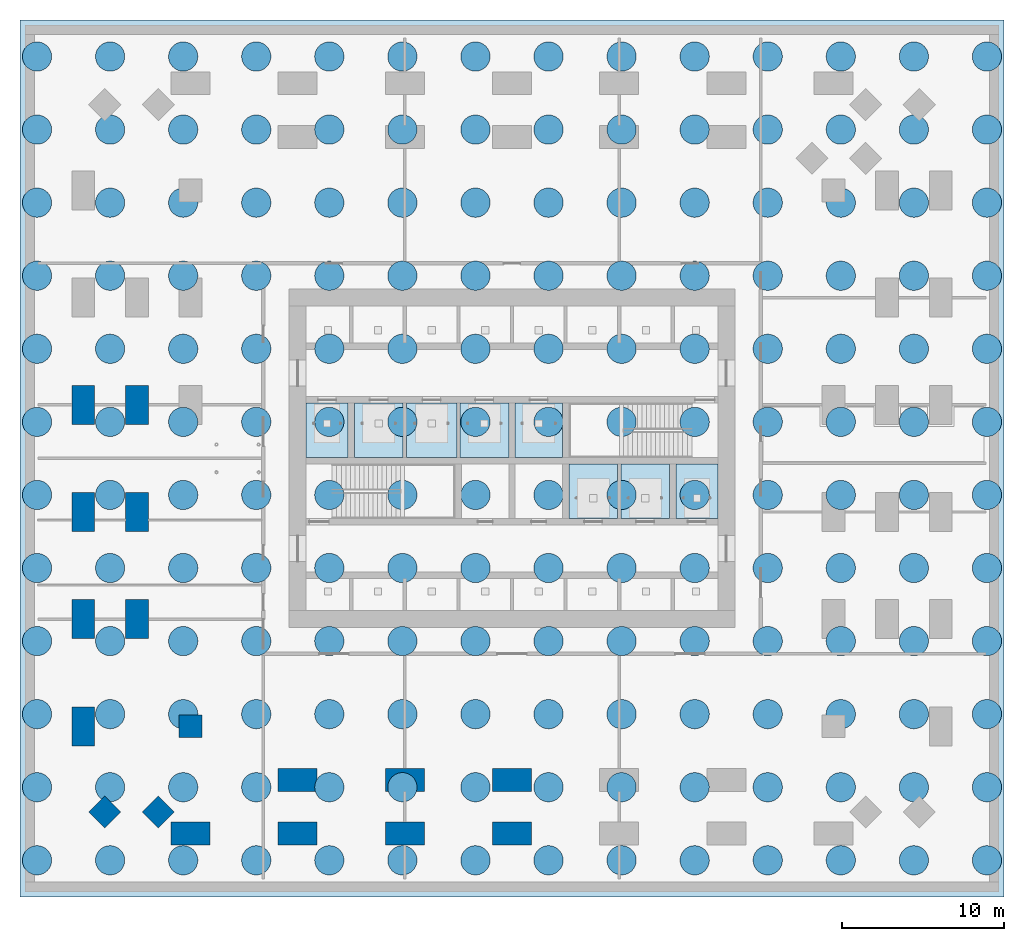
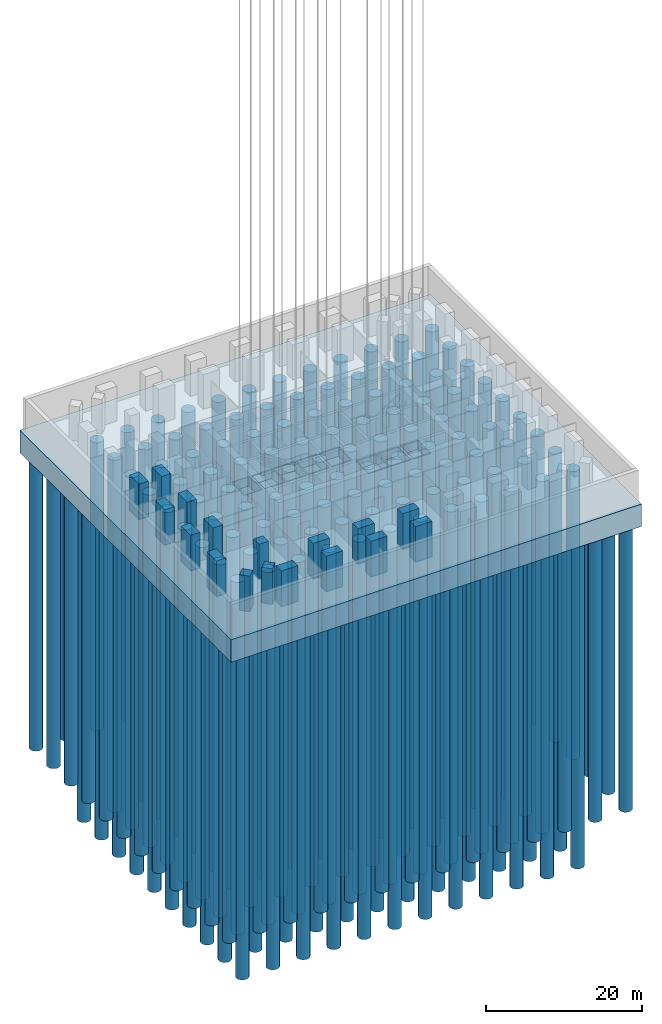
# One storey, part 1 of 17: 168 piles, 17 columns, 1 footing, 8 openings.
"""IFC4 building model written with IfcOpenShell, lengths in metres."""

from ifc_helpers import new_model, si_unit, direction, frame, origin, origin_2d, place, context, subcontext, project, spatial, polyline, rectangle, circle, outline, extrude, material, layer, layer_set, material_profile, profile_set, type_object, element, save


model = new_model("IFC4")

# Units and contexts
model_context = context("Model", 3, precision=1e-05, world=origin(), true_north=direction((0.0, 1.0)))
body_context = subcontext(model_context, "Body", "Model", "MODEL_VIEW")
ifc_project = project(units=[si_unit("LENGTHUNIT", "METRE"), si_unit("AREAUNIT", "SQUARE_METRE"), si_unit("VOLUMEUNIT", "CUBIC_METRE"), si_unit("PLANEANGLEUNIT", "RADIAN"), si_unit("MASSUNIT", "GRAM", prefix="KILO")], contexts=[model_context])

# Site, building, storey
site_placement = place(None, origin())
site = spatial("IfcSite", under=ifc_project, at=site_placement, CompositionType="ELEMENT")
building_placement = place(site_placement, origin())
building = spatial("IfcBuilding", under=site, at=building_placement, Name="Cobogo Forest Laboratory Tower", CompositionType="ELEMENT")
storey_placement = place(building_placement, frame((0.0, 0.0, -5.39990234375)))
storey = spatial("IfcBuildingStorey", under=building, at=storey_placement, Name="L-01", CompositionType="ELEMENT", Elevation=-5.39990234375)

# Piles
ifc_material_1 = material(Name="Concrete HA-40 (C40/50)", Category="concrete")
ifc_material_profile_1 = material_profile(ifc_material_1, circle(Radius=0.89990234375, at=origin_2d()), Name="PILE D1800")
ifc_profile_set_1 = profile_set([ifc_material_profile_1], Name="Concrete HA-40 (C40/50)")
pile_type_1 = type_object("IfcPileType", Name="Bored pile D1800 x 45 m", PredefinedType="BORED", material=ifc_profile_set_1)
for number, where, z_axis, x_axis, name in (
    (1, (-2.85009765625, -1.64990234375, -3.650146484375), (0.0, 0.0, -1.0), (1.0, 0.0, 0.0), "Pile P001"),
    (2, (1.64990234375, -1.64990234375, -3.650146484375), (0.0, 0.0, -1.0), (1.0, 0.0, 0.0), "Pile P002"),
    (3, (6.14990234375, -1.64990234375, -3.650146484375), (0.0, 0.0, -1.0), (1.0, 0.0, 0.0), "Pile P003"),
    (4, (10.64990234375, -1.64990234375, -3.650146484375), (0.0, 0.0, -1.0), (1.0, 0.0, 0.0), "Pile P004"),
    (5, (15.14990234375, -1.64990234375, -3.650146484375), (0.0, 0.0, -1.0), (1.0, 0.0, 0.0), "Pile P005"),
    (6, (19.64990234375, -1.64990234375, -3.650146484375), (0.0, 0.0, -1.0), (1.0, 0.0, 0.0), "Pile P006"),
    (7, (24.14990234375, -1.64990234375, -3.650146484375), (0.0, 0.0, -1.0), (1.0, 0.0, 0.0), "Pile P007"),
    (8, (28.64990234375, -1.64990234375, -3.650146484375), (0.0, 0.0, -1.0), (1.0, 0.0, 0.0), "Pile P008"),
    (9, (33.14990234375, -1.64990234375, -3.650146484375), (0.0, 0.0, -1.0), (1.0, 0.0, 0.0), "Pile P009"),
    (10, (37.64990234375, -1.64990234375, -3.650146484375), (0.0, 0.0, -1.0), (1.0, 0.0, 0.0), "Pile P010"),
    (11, (42.14990234375, -1.64990234375, -3.650146484375), (0.0, 0.0, -1.0), (1.0, 0.0, 0.0), "Pile P011"),
    (12, (46.64990234375, -1.64990234375, -3.650146484375), (0.0, 0.0, -1.0), (1.0, 0.0, 0.0), "Pile P012"),
    (13, (51.14990234375, -1.64990234375, -3.650146484375), (0.0, 0.0, -1.0), (1.0, 0.0, 0.0), "Pile P013"),
    (14, (55.64990234375, -1.64990234375, -3.650146484375), (0.0, 0.0, -1.0), (1.0, 0.0, 0.0), "Pile P014"),
    (15, (-2.85009765625, 2.85009765625, -3.650146484375), (0.0, 0.0, -1.0), (1.0, 0.0, 0.0), "Pile P015"),
    (16, (55.64990234375, 2.85009765625, -3.650146484375), (0.0, 0.0, -1.0), (1.0, 0.0, 0.0), "Pile P028"),
    (17, (-2.85009765625, 7.35009765625, -3.650146484375), (0.0, 0.0, -1.0), (1.0, 0.0, 0.0), "Pile P029"),
    (18, (55.64990234375, 7.35009765625, -3.650146484375), (0.0, 0.0, -1.0), (1.0, 0.0, 0.0), "Pile P042"),
    (19, (-2.85009765625, 11.85009765625, -3.650146484375), (0.0, 0.0, -1.0), (1.0, 0.0, 0.0), "Pile P043"),
    (20, (55.64990234375, 11.85009765625, -3.650146484375), (0.0, 0.0, -1.0), (1.0, 0.0, 0.0), "Pile P056"),
    (21, (-2.85009765625, 16.35009765625, -3.650146484375), (0.0, 0.0, -1.0), (1.0, 0.0, 0.0), "Pile P057"),
    (22, (55.64990234375, 16.35009765625, -3.650146484375), (0.0, 0.0, -1.0), (1.0, 0.0, 0.0), "Pile P070"),
    (23, (-2.85009765625, 20.85009765625, -3.650146484375), (0.0, 0.0, -1.0), (1.0, 0.0, 0.0), "Pile P071"),
    (24, (55.64990234375, 20.85009765625, -3.650146484375), (0.0, 0.0, -1.0), (1.0, 0.0, 0.0), "Pile P084"),
    (25, (-2.85009765625, 25.35009765625, -3.650146484375), (0.0, 0.0, -1.0), (1.0, 0.0, 0.0), "Pile P085"),
    (26, (55.64990234375, 25.35009765625, -3.650146484375), (0.0, 0.0, -1.0), (1.0, 0.0, 0.0), "Pile P098"),
    (27, (-2.85009765625, 29.85009765625, -3.650146484375), (0.0, 0.0, -1.0), (1.0, 0.0, 0.0), "Pile P099"),
    (28, (55.64990234375, 29.85009765625, -3.650146484375), (0.0, 0.0, -1.0), (1.0, 0.0, 0.0), "Pile P112"),
    (29, (-2.85009765625, 34.35009765625, -3.650146484375), (0.0, 0.0, -1.0), (1.0, 0.0, 0.0), "Pile P113"),
    (30, (55.64990234375, 34.35009765625, -3.650146484375), (0.0, 0.0, -1.0), (1.0, 0.0, 0.0), "Pile P126"),
    (31, (-2.85009765625, 38.85009765625, -3.650146484375), (0.0, 0.0, -1.0), (1.0, 0.0, 0.0), "Pile P127"),
    (32, (55.64990234375, 38.85009765625, -3.650146484375), (0.0, 0.0, -1.0), (1.0, 0.0, 0.0), "Pile P140"),
    (33, (-2.85009765625, 43.35009765625, -3.650146484375), (0.0, 0.0, -1.0), (1.0, 0.0, 0.0), "Pile P141"),
    (34, (55.64990234375, 43.35009765625, -3.650146484375), (0.0, 0.0, -1.0), (1.0, 0.0, 0.0), "Pile P154"),
    (35, (-2.85009765625, 47.85009765625, -3.650146484375), (0.0, 0.0, -1.0), (1.0, 0.0, 0.0), "Pile P155"),
    (36, (1.64990234375, 47.85009765625, -3.650146484375), (0.0, 0.0, -1.0), (1.0, 0.0, 0.0), "Pile P156"),
    (37, (6.14990234375, 47.85009765625, -3.650146484375), (0.0, 0.0, -1.0), (1.0, 0.0, 0.0), "Pile P157"),
    (38, (10.64990234375, 47.85009765625, -3.650146484375), (0.0, 0.0, -1.0), (1.0, 0.0, 0.0), "Pile P158"),
    (39, (15.14990234375, 47.85009765625, -3.650146484375), (0.0, 0.0, -1.0), (1.0, 0.0, 0.0), "Pile P159"),
    (40, (19.64990234375, 47.85009765625, -3.650146484375), (0.0, 0.0, -1.0), (1.0, 0.0, 0.0), "Pile P160"),
    (41, (24.14990234375, 47.85009765625, -3.650146484375), (0.0, 0.0, -1.0), (1.0, 0.0, 0.0), "Pile P161"),
    (42, (28.64990234375, 47.85009765625, -3.650146484375), (0.0, 0.0, -1.0), (1.0, 0.0, 0.0), "Pile P162"),
    (43, (33.14990234375, 47.85009765625, -3.650146484375), (0.0, 0.0, -1.0), (1.0, 0.0, 0.0), "Pile P163"),
    (44, (37.64990234375, 47.85009765625, -3.650146484375), (0.0, 0.0, -1.0), (1.0, 0.0, 0.0), "Pile P164"),
    (45, (42.14990234375, 47.85009765625, -3.650146484375), (0.0, 0.0, -1.0), (1.0, 0.0, 0.0), "Pile P165"),
    (46, (46.64990234375, 47.85009765625, -3.650146484375), (0.0, 0.0, -1.0), (1.0, 0.0, 0.0), "Pile P166"),
    (47, (51.14990234375, 47.85009765625, -3.650146484375), (0.0, 0.0, -1.0), (1.0, 0.0, 0.0), "Pile P167"),
    (48, (55.64990234375, 47.85009765625, -3.650146484375), (0.0, 0.0, -1.0), (1.0, 0.0, 0.0), "Pile P168"),
):
    element("IfcPile", number, at=place(storey_placement, frame(where, z_axis=z_axis, x_axis=x_axis)), inside=storey, type_object=pile_type_1, Name=name, PredefinedType="BORED", context=body_context, shape_type="SweptSolid", body=[
        extrude(circle(Radius=0.89990234375, at=origin_2d()), origin(), (0.0, 0.0, 1.0), 45.0),
    ])
ifc_material_profile_2 = material_profile(ifc_material_1, circle(Radius=0.89990234375, at=origin_2d()), Name="PILE D1800")
ifc_profile_set_2 = profile_set([ifc_material_profile_2], Name="Concrete HA-40 (C40/50)")
pile_type_2 = type_object("IfcPileType", Name="Bored pile D1800 x 55 m", PredefinedType="BORED", material=ifc_profile_set_2)
for number, where, z_axis, x_axis, name in (
    (49, (1.64990234375, 2.85009765625, -3.650146484375), (0.0, 0.0, -1.0), (1.0, 0.0, 0.0), "Pile P016"),
    (50, (6.14990234375, 2.85009765625, -3.650146484375), (0.0, 0.0, -1.0), (1.0, 0.0, 0.0), "Pile P017"),
    (51, (10.64990234375, 2.85009765625, -3.650146484375), (0.0, 0.0, -1.0), (1.0, 0.0, 0.0), "Pile P018"),
    (52, (15.14990234375, 2.85009765625, -3.650146484375), (0.0, 0.0, -1.0), (1.0, 0.0, 0.0), "Pile P019"),
    (53, (19.64990234375, 2.85009765625, -3.650146484375), (0.0, 0.0, -1.0), (1.0, 0.0, 0.0), "Pile P020"),
    (54, (24.14990234375, 2.85009765625, -3.650146484375), (0.0, 0.0, -1.0), (1.0, 0.0, 0.0), "Pile P021"),
    (55, (28.64990234375, 2.85009765625, -3.650146484375), (0.0, 0.0, -1.0), (1.0, 0.0, 0.0), "Pile P022"),
    (56, (33.14990234375, 2.85009765625, -3.650146484375), (0.0, 0.0, -1.0), (1.0, 0.0, 0.0), "Pile P023"),
    (57, (37.64990234375, 2.85009765625, -3.650146484375), (0.0, 0.0, -1.0), (1.0, 0.0, 0.0), "Pile P024"),
    (58, (42.14990234375, 2.85009765625, -3.650146484375), (0.0, 0.0, -1.0), (1.0, 0.0, 0.0), "Pile P025"),
    (59, (46.64990234375, 2.85009765625, -3.650146484375), (0.0, 0.0, -1.0), (1.0, 0.0, 0.0), "Pile P026"),
    (60, (51.14990234375, 2.85009765625, -3.650146484375), (0.0, 0.0, -1.0), (1.0, 0.0, 0.0), "Pile P027"),
    (61, (1.64990234375, 7.35009765625, -3.650146484375), (0.0, 0.0, -1.0), (1.0, 0.0, 0.0), "Pile P030"),
    (62, (6.14990234375, 7.35009765625, -3.650146484375), (0.0, 0.0, -1.0), (1.0, 0.0, 0.0), "Pile P031"),
    (63, (10.64990234375, 7.35009765625, -3.650146484375), (0.0, 0.0, -1.0), (1.0, 0.0, 0.0), "Pile P032"),
    (64, (15.14990234375, 7.35009765625, -3.650146484375), (0.0, 0.0, -1.0), (1.0, 0.0, 0.0), "Pile P033"),
    (65, (19.64990234375, 7.35009765625, -3.650146484375), (0.0, 0.0, -1.0), (1.0, 0.0, 0.0), "Pile P034"),
    (66, (24.14990234375, 7.35009765625, -3.650146484375), (0.0, 0.0, -1.0), (1.0, 0.0, 0.0), "Pile P035"),
    (67, (28.64990234375, 7.35009765625, -3.650146484375), (0.0, 0.0, -1.0), (1.0, 0.0, 0.0), "Pile P036"),
    (68, (33.14990234375, 7.35009765625, -3.650146484375), (0.0, 0.0, -1.0), (1.0, 0.0, 0.0), "Pile P037"),
    (69, (37.64990234375, 7.35009765625, -3.650146484375), (0.0, 0.0, -1.0), (1.0, 0.0, 0.0), "Pile P038"),
    (70, (42.14990234375, 7.35009765625, -3.650146484375), (0.0, 0.0, -1.0), (1.0, 0.0, 0.0), "Pile P039"),
    (71, (46.64990234375, 7.35009765625, -3.650146484375), (0.0, 0.0, -1.0), (1.0, 0.0, 0.0), "Pile P040"),
    (72, (51.14990234375, 7.35009765625, -3.650146484375), (0.0, 0.0, -1.0), (1.0, 0.0, 0.0), "Pile P041"),
    (73, (1.64990234375, 11.85009765625, -3.650146484375), (0.0, 0.0, -1.0), (1.0, 0.0, 0.0), "Pile P044"),
    (74, (6.14990234375, 11.85009765625, -3.650146484375), (0.0, 0.0, -1.0), (1.0, 0.0, 0.0), "Pile P045"),
    (75, (10.64990234375, 11.85009765625, -3.650146484375), (0.0, 0.0, -1.0), (1.0, 0.0, 0.0), "Pile P046"),
    (76, (15.14990234375, 11.85009765625, -3.650146484375), (0.0, 0.0, -1.0), (1.0, 0.0, 0.0), "Pile P047"),
    (77, (19.64990234375, 11.85009765625, -3.650146484375), (0.0, 0.0, -1.0), (1.0, 0.0, 0.0), "Pile P048"),
    (78, (24.14990234375, 11.85009765625, -3.650146484375), (0.0, 0.0, -1.0), (1.0, 0.0, 0.0), "Pile P049"),
    (79, (28.64990234375, 11.85009765625, -3.650146484375), (0.0, 0.0, -1.0), (1.0, 0.0, 0.0), "Pile P050"),
    (80, (33.14990234375, 11.85009765625, -3.650146484375), (0.0, 0.0, -1.0), (1.0, 0.0, 0.0), "Pile P051"),
    (81, (37.64990234375, 11.85009765625, -3.650146484375), (0.0, 0.0, -1.0), (1.0, 0.0, 0.0), "Pile P052"),
    (82, (42.14990234375, 11.85009765625, -3.650146484375), (0.0, 0.0, -1.0), (1.0, 0.0, 0.0), "Pile P053"),
    (83, (46.64990234375, 11.85009765625, -3.650146484375), (0.0, 0.0, -1.0), (1.0, 0.0, 0.0), "Pile P054"),
    (84, (51.14990234375, 11.85009765625, -3.650146484375), (0.0, 0.0, -1.0), (1.0, 0.0, 0.0), "Pile P055"),
    (85, (1.64990234375, 16.35009765625, -3.650146484375), (0.0, 0.0, -1.0), (1.0, 0.0, 0.0), "Pile P058"),
    (86, (6.14990234375, 16.35009765625, -3.650146484375), (0.0, 0.0, -1.0), (1.0, 0.0, 0.0), "Pile P059"),
    (87, (10.64990234375, 16.35009765625, -3.650146484375), (0.0, 0.0, -1.0), (1.0, 0.0, 0.0), "Pile P060"),
    (88, (15.14990234375, 16.35009765625, -3.650146484375), (0.0, 0.0, -1.0), (1.0, 0.0, 0.0), "Pile P061"),
    (89, (19.64990234375, 16.35009765625, -3.650146484375), (0.0, 0.0, -1.0), (1.0, 0.0, 0.0), "Pile P062"),
    (90, (24.14990234375, 16.35009765625, -3.650146484375), (0.0, 0.0, -1.0), (1.0, 0.0, 0.0), "Pile P063"),
    (91, (28.64990234375, 16.35009765625, -3.650146484375), (0.0, 0.0, -1.0), (1.0, 0.0, 0.0), "Pile P064"),
    (92, (33.14990234375, 16.35009765625, -3.650146484375), (0.0, 0.0, -1.0), (1.0, 0.0, 0.0), "Pile P065"),
    (93, (37.64990234375, 16.35009765625, -3.650146484375), (0.0, 0.0, -1.0), (1.0, 0.0, 0.0), "Pile P066"),
    (94, (42.14990234375, 16.35009765625, -3.650146484375), (0.0, 0.0, -1.0), (1.0, 0.0, 0.0), "Pile P067"),
    (95, (46.64990234375, 16.35009765625, -3.650146484375), (0.0, 0.0, -1.0), (1.0, 0.0, 0.0), "Pile P068"),
    (96, (51.14990234375, 16.35009765625, -3.650146484375), (0.0, 0.0, -1.0), (1.0, 0.0, 0.0), "Pile P069"),
    (97, (1.64990234375, 20.85009765625, -3.650146484375), (0.0, 0.0, -1.0), (1.0, 0.0, 0.0), "Pile P072"),
    (98, (6.14990234375, 20.85009765625, -3.650146484375), (0.0, 0.0, -1.0), (1.0, 0.0, 0.0), "Pile P073"),
    (99, (10.64990234375, 20.85009765625, -3.650146484375), (0.0, 0.0, -1.0), (1.0, 0.0, 0.0), "Pile P074"),
    (100, (15.14990234375, 20.85009765625, -3.650146484375), (0.0, 0.0, -1.0), (1.0, 0.0, 0.0), "Pile P075"),
    (101, (19.64990234375, 20.85009765625, -3.650146484375), (0.0, 0.0, -1.0), (1.0, 0.0, 0.0), "Pile P076"),
    (102, (24.14990234375, 20.85009765625, -3.650146484375), (0.0, 0.0, -1.0), (1.0, 0.0, 0.0), "Pile P077"),
    (103, (28.64990234375, 20.85009765625, -3.650146484375), (0.0, 0.0, -1.0), (1.0, 0.0, 0.0), "Pile P078"),
    (104, (33.14990234375, 20.85009765625, -3.650146484375), (0.0, 0.0, -1.0), (1.0, 0.0, 0.0), "Pile P079"),
    (105, (37.64990234375, 20.85009765625, -3.650146484375), (0.0, 0.0, -1.0), (1.0, 0.0, 0.0), "Pile P080"),
    (106, (42.14990234375, 20.85009765625, -3.650146484375), (0.0, 0.0, -1.0), (1.0, 0.0, 0.0), "Pile P081"),
    (107, (46.64990234375, 20.85009765625, -3.650146484375), (0.0, 0.0, -1.0), (1.0, 0.0, 0.0), "Pile P082"),
    (108, (51.14990234375, 20.85009765625, -3.650146484375), (0.0, 0.0, -1.0), (1.0, 0.0, 0.0), "Pile P083"),
    (109, (1.64990234375, 25.35009765625, -3.650146484375), (0.0, 0.0, -1.0), (1.0, 0.0, 0.0), "Pile P086"),
    (110, (6.14990234375, 25.35009765625, -3.650146484375), (0.0, 0.0, -1.0), (1.0, 0.0, 0.0), "Pile P087"),
    (111, (10.64990234375, 25.35009765625, -3.650146484375), (0.0, 0.0, -1.0), (1.0, 0.0, 0.0), "Pile P088"),
    (112, (15.14990234375, 25.35009765625, -3.650146484375), (0.0, 0.0, -1.0), (1.0, 0.0, 0.0), "Pile P089"),
    (113, (19.64990234375, 25.35009765625, -3.650146484375), (0.0, 0.0, -1.0), (1.0, 0.0, 0.0), "Pile P090"),
    (114, (24.14990234375, 25.35009765625, -3.650146484375), (0.0, 0.0, -1.0), (1.0, 0.0, 0.0), "Pile P091"),
    (115, (28.64990234375, 25.35009765625, -3.650146484375), (0.0, 0.0, -1.0), (1.0, 0.0, 0.0), "Pile P092"),
    (116, (33.14990234375, 25.35009765625, -3.650146484375), (0.0, 0.0, -1.0), (1.0, 0.0, 0.0), "Pile P093"),
    (117, (37.64990234375, 25.35009765625, -3.650146484375), (0.0, 0.0, -1.0), (1.0, 0.0, 0.0), "Pile P094"),
    (118, (42.14990234375, 25.35009765625, -3.650146484375), (0.0, 0.0, -1.0), (1.0, 0.0, 0.0), "Pile P095"),
    (119, (46.64990234375, 25.35009765625, -3.650146484375), (0.0, 0.0, -1.0), (1.0, 0.0, 0.0), "Pile P096"),
    (120, (51.14990234375, 25.35009765625, -3.650146484375), (0.0, 0.0, -1.0), (1.0, 0.0, 0.0), "Pile P097"),
    (121, (1.64990234375, 29.85009765625, -3.650146484375), (0.0, 0.0, -1.0), (1.0, 0.0, 0.0), "Pile P100"),
    (122, (6.14990234375, 29.85009765625, -3.650146484375), (0.0, 0.0, -1.0), (1.0, 0.0, 0.0), "Pile P101"),
    (123, (10.64990234375, 29.85009765625, -3.650146484375), (0.0, 0.0, -1.0), (1.0, 0.0, 0.0), "Pile P102"),
    (124, (15.14990234375, 29.85009765625, -3.650146484375), (0.0, 0.0, -1.0), (1.0, 0.0, 0.0), "Pile P103"),
    (125, (19.64990234375, 29.85009765625, -3.650146484375), (0.0, 0.0, -1.0), (1.0, 0.0, 0.0), "Pile P104"),
    (126, (24.14990234375, 29.85009765625, -3.650146484375), (0.0, 0.0, -1.0), (1.0, 0.0, 0.0), "Pile P105"),
    (127, (28.64990234375, 29.85009765625, -3.650146484375), (0.0, 0.0, -1.0), (1.0, 0.0, 0.0), "Pile P106"),
    (128, (33.14990234375, 29.85009765625, -3.650146484375), (0.0, 0.0, -1.0), (1.0, 0.0, 0.0), "Pile P107"),
    (129, (37.64990234375, 29.85009765625, -3.650146484375), (0.0, 0.0, -1.0), (1.0, 0.0, 0.0), "Pile P108"),
    (130, (42.14990234375, 29.85009765625, -3.650146484375), (0.0, 0.0, -1.0), (1.0, 0.0, 0.0), "Pile P109"),
    (131, (46.64990234375, 29.85009765625, -3.650146484375), (0.0, 0.0, -1.0), (1.0, 0.0, 0.0), "Pile P110"),
    (132, (51.14990234375, 29.85009765625, -3.650146484375), (0.0, 0.0, -1.0), (1.0, 0.0, 0.0), "Pile P111"),
    (133, (1.64990234375, 34.35009765625, -3.650146484375), (0.0, 0.0, -1.0), (1.0, 0.0, 0.0), "Pile P114"),
    (134, (6.14990234375, 34.35009765625, -3.650146484375), (0.0, 0.0, -1.0), (1.0, 0.0, 0.0), "Pile P115"),
    (135, (10.64990234375, 34.35009765625, -3.650146484375), (0.0, 0.0, -1.0), (1.0, 0.0, 0.0), "Pile P116"),
    (136, (15.14990234375, 34.35009765625, -3.650146484375), (0.0, 0.0, -1.0), (1.0, 0.0, 0.0), "Pile P117"),
    (137, (19.64990234375, 34.35009765625, -3.650146484375), (0.0, 0.0, -1.0), (1.0, 0.0, 0.0), "Pile P118"),
    (138, (24.14990234375, 34.35009765625, -3.650146484375), (0.0, 0.0, -1.0), (1.0, 0.0, 0.0), "Pile P119"),
    (139, (28.64990234375, 34.35009765625, -3.650146484375), (0.0, 0.0, -1.0), (1.0, 0.0, 0.0), "Pile P120"),
    (140, (33.14990234375, 34.35009765625, -3.650146484375), (0.0, 0.0, -1.0), (1.0, 0.0, 0.0), "Pile P121"),
    (141, (37.64990234375, 34.35009765625, -3.650146484375), (0.0, 0.0, -1.0), (1.0, 0.0, 0.0), "Pile P122"),
    (142, (42.14990234375, 34.35009765625, -3.650146484375), (0.0, 0.0, -1.0), (1.0, 0.0, 0.0), "Pile P123"),
    (143, (46.64990234375, 34.35009765625, -3.650146484375), (0.0, 0.0, -1.0), (1.0, 0.0, 0.0), "Pile P124"),
    (144, (51.14990234375, 34.35009765625, -3.650146484375), (0.0, 0.0, -1.0), (1.0, 0.0, 0.0), "Pile P125"),
    (145, (1.64990234375, 38.85009765625, -3.650146484375), (0.0, 0.0, -1.0), (1.0, 0.0, 0.0), "Pile P128"),
    (146, (6.14990234375, 38.85009765625, -3.650146484375), (0.0, 0.0, -1.0), (1.0, 0.0, 0.0), "Pile P129"),
    (147, (10.64990234375, 38.85009765625, -3.650146484375), (0.0, 0.0, -1.0), (1.0, 0.0, 0.0), "Pile P130"),
    (148, (15.14990234375, 38.85009765625, -3.650146484375), (0.0, 0.0, -1.0), (1.0, 0.0, 0.0), "Pile P131"),
    (149, (19.64990234375, 38.85009765625, -3.650146484375), (0.0, 0.0, -1.0), (1.0, 0.0, 0.0), "Pile P132"),
    (150, (24.14990234375, 38.85009765625, -3.650146484375), (0.0, 0.0, -1.0), (1.0, 0.0, 0.0), "Pile P133"),
    (151, (28.64990234375, 38.85009765625, -3.650146484375), (0.0, 0.0, -1.0), (1.0, 0.0, 0.0), "Pile P134"),
    (152, (33.14990234375, 38.85009765625, -3.650146484375), (0.0, 0.0, -1.0), (1.0, 0.0, 0.0), "Pile P135"),
    (153, (37.64990234375, 38.85009765625, -3.650146484375), (0.0, 0.0, -1.0), (1.0, 0.0, 0.0), "Pile P136"),
    (154, (42.14990234375, 38.85009765625, -3.650146484375), (0.0, 0.0, -1.0), (1.0, 0.0, 0.0), "Pile P137"),
    (155, (46.64990234375, 38.85009765625, -3.650146484375), (0.0, 0.0, -1.0), (1.0, 0.0, 0.0), "Pile P138"),
    (156, (51.14990234375, 38.85009765625, -3.650146484375), (0.0, 0.0, -1.0), (1.0, 0.0, 0.0), "Pile P139"),
    (157, (1.64990234375, 43.35009765625, -3.650146484375), (0.0, 0.0, -1.0), (1.0, 0.0, 0.0), "Pile P142"),
    (158, (6.14990234375, 43.35009765625, -3.650146484375), (0.0, 0.0, -1.0), (1.0, 0.0, 0.0), "Pile P143"),
    (159, (10.64990234375, 43.35009765625, -3.650146484375), (0.0, 0.0, -1.0), (1.0, 0.0, 0.0), "Pile P144"),
    (160, (15.14990234375, 43.35009765625, -3.650146484375), (0.0, 0.0, -1.0), (1.0, 0.0, 0.0), "Pile P145"),
    (161, (19.64990234375, 43.35009765625, -3.650146484375), (0.0, 0.0, -1.0), (1.0, 0.0, 0.0), "Pile P146"),
    (162, (24.14990234375, 43.35009765625, -3.650146484375), (0.0, 0.0, -1.0), (1.0, 0.0, 0.0), "Pile P147"),
    (163, (28.64990234375, 43.35009765625, -3.650146484375), (0.0, 0.0, -1.0), (1.0, 0.0, 0.0), "Pile P148"),
    (164, (33.14990234375, 43.35009765625, -3.650146484375), (0.0, 0.0, -1.0), (1.0, 0.0, 0.0), "Pile P149"),
    (165, (37.64990234375, 43.35009765625, -3.650146484375), (0.0, 0.0, -1.0), (1.0, 0.0, 0.0), "Pile P150"),
    (166, (42.14990234375, 43.35009765625, -3.650146484375), (0.0, 0.0, -1.0), (1.0, 0.0, 0.0), "Pile P151"),
    (167, (46.64990234375, 43.35009765625, -3.650146484375), (0.0, 0.0, -1.0), (1.0, 0.0, 0.0), "Pile P152"),
    (168, (51.14990234375, 43.35009765625, -3.650146484375), (0.0, 0.0, -1.0), (1.0, 0.0, 0.0), "Pile P153"),
):
    element("IfcPile", number, at=place(storey_placement, frame(where, z_axis=z_axis, x_axis=x_axis)), inside=storey, type_object=pile_type_2, Name=name, PredefinedType="BORED", context=body_context, shape_type="SweptSolid", body=[
        extrude(circle(Radius=0.89990234375, at=origin_2d()), origin(), (0.0, 0.0, 1.0), 55.0),
    ])

# Footing, openings
ifc_layer = layer(ifc_material_1, 3.5)
ifc_layer_set = layer_set([ifc_layer], Name="Piled raft 3500")
footing_type = type_object("IfcFootingType", Name="Piled raft 3500", PredefinedType="PILE_CAP", material=ifc_layer_set)
footing_placement = place(storey_placement, frame((0.0, 0.0, -3.650146484375)))
footing = element("IfcFooting", 169, at=footing_placement, inside=storey, type_object=footing_type, Name="Piled raft", PredefinedType="PILE_CAP", context=body_context, shape_type="SweptSolid", body=[
    extrude(outline(polyline([(-3.89990234375, -3.89990234375), (56.699951171875, -3.89990234375), (56.699951171875, 50.10009765625), (-3.89990234375, 50.10009765625), (-3.89990234375, -3.89990234375)])), origin(), (0.0, 0.0, 1.0), 3.5),
])
opening_1_placement = place(footing_placement, frame((0.0, 0.0, 2.050048828125)))
element("IfcOpeningElement", 170, at=opening_1_placement, cuts=footing, Name="Lift pit LS1", PredefinedType="RECESS", context=body_context, shape_type="SweptSolid", body=[
    extrude(outline(polyline([(29.89990234375, 19.39990234375), (32.89990234375, 19.39990234375), (32.89990234375, 22.75), (29.89990234375, 22.75), (29.89990234375, 19.39990234375)])), origin(), (0.0, 0.0, 1.0), 1.4599609375),
])
opening_2_placement = place(footing_placement, frame((0.0, 0.0, 2.050048828125)))
element("IfcOpeningElement", 171, at=opening_2_placement, cuts=footing, Name="Lift pit LS2", PredefinedType="RECESS", context=body_context, shape_type="SweptSolid", body=[
    extrude(outline(polyline([(33.10009765625, 19.39990234375), (36.10009765625, 19.39990234375), (36.10009765625, 22.75), (33.10009765625, 22.75), (33.10009765625, 19.39990234375)])), origin(), (0.0, 0.0, 1.0), 1.4599609375),
])
opening_3_placement = place(footing_placement, frame((0.0, 0.0, 2.050048828125)))
element("IfcOpeningElement", 172, at=opening_3_placement, cuts=footing, Name="Lift pit FL2", PredefinedType="RECESS", context=body_context, shape_type="SweptSolid", body=[
    extrude(outline(polyline([(36.5, 19.39990234375), (39.074951171875, 19.39990234375), (39.074951171875, 22.75), (36.5, 22.75), (36.5, 19.39990234375)])), origin(), (0.0, 0.0, 1.0), 1.4599609375),
])
opening_4_placement = place(footing_placement, frame((0.0, 0.0, 2.050048828125)))
element("IfcOpeningElement", 173, at=opening_4_placement, cuts=footing, Name="Lift pit FL1", PredefinedType="RECESS", context=body_context, shape_type="SweptSolid", body=[
    extrude(outline(polyline([(13.72509765625, 23.14990234375), (16.300048828125, 23.14990234375), (16.300048828125, 26.5), (13.72509765625, 26.5), (13.72509765625, 23.14990234375)])), origin(), (0.0, 0.0, 1.0), 1.4599609375),
])
opening_5_placement = place(footing_placement, frame((0.0, 0.0, 2.050048828125)))
element("IfcOpeningElement", 174, at=opening_5_placement, cuts=footing, Name="Lift pit LS3", PredefinedType="RECESS", context=body_context, shape_type="SweptSolid", body=[
    extrude(outline(polyline([(16.699951171875, 23.14990234375), (19.699951171875, 23.14990234375), (19.699951171875, 26.5), (16.699951171875, 26.5), (16.699951171875, 23.14990234375)])), origin(), (0.0, 0.0, 1.0), 1.4599609375),
])
opening_6_placement = place(footing_placement, frame((0.0, 0.0, 2.050048828125)))
element("IfcOpeningElement", 175, at=opening_6_placement, cuts=footing, Name="Lift pit LS4", PredefinedType="RECESS", context=body_context, shape_type="SweptSolid", body=[
    extrude(outline(polyline([(19.89990234375, 23.14990234375), (23.0, 23.14990234375), (23.0, 26.5), (19.89990234375, 26.5), (19.89990234375, 23.14990234375)])), origin(), (0.0, 0.0, 1.0), 1.4599609375),
])
opening_7_placement = place(footing_placement, frame((0.0, 0.0, 2.050048828125)))
element("IfcOpeningElement", 176, at=opening_7_placement, cuts=footing, Name="Lift pit LS5", PredefinedType="RECESS", context=body_context, shape_type="SweptSolid", body=[
    extrude(outline(polyline([(23.199951171875, 23.14990234375), (26.199951171875, 23.14990234375), (26.199951171875, 26.5), (23.199951171875, 26.5), (23.199951171875, 23.14990234375)])), origin(), (0.0, 0.0, 1.0), 1.4599609375),
])
opening_8_placement = place(footing_placement, frame((0.0, 0.0, 2.050048828125)))
element("IfcOpeningElement", 177, at=opening_8_placement, cuts=footing, Name="Lift pit LS6", PredefinedType="RECESS", context=body_context, shape_type="SweptSolid", body=[
    extrude(outline(polyline([(26.60009765625, 23.14990234375), (29.5, 23.14990234375), (29.5, 26.5), (26.60009765625, 26.5), (26.60009765625, 23.14990234375)])), origin(), (0.0, 0.0, 1.0), 1.4599609375),
])

# Columns
ifc_material_2 = material(Name="Concrete HA-50 (C50/60)", Category="concrete")
ifc_material_profile_3 = material_profile(ifc_material_2, rectangle(XDim=2.39990234375, YDim=1.39990234375, at=origin_2d()), Name="RC 1400x2400")
ifc_profile_set_3 = profile_set([ifc_material_profile_3], Name="Concrete HA-50 (C50/60)")
column_type_1 = type_object("IfcColumnType", Name="Blade column 1400x2400", PredefinedType="COLUMN", material=ifc_profile_set_3)
for number, where, z_axis, x_axis, name in (
    (178, (6.60009765625, 0.0, -0.150146484375), (0.0, 0.0, 1.0), (1.0, 0.0, 0.0), "Column 2-A L-01"),
    (179, (13.199951171875, 0.0, -0.150146484375), (0.0, 0.0, 1.0), (1.0, 0.0, 0.0), "Column 3-A L-01"),
    (180, (19.800048828125, 0.0, -0.150146484375), (0.0, 0.0, 1.0), (1.0, 0.0, 0.0), "Column 4-A L-01"),
    (181, (26.39990234375, 0.0, -0.150146484375), (0.0, 0.0, 1.0), (1.0, 0.0, 0.0), "Column 5-A L-01"),
    (182, (0.0, 6.60009765625, -0.150146484375), (0.0, 0.0, 1.0), (0.0, 1.0, 0.0), "Column 1-B L-01"),
    (183, (0.0, 13.199951171875, -0.150146484375), (0.0, 0.0, 1.0), (0.0, 1.0, 0.0), "Column 1-C L-01"),
    (184, (0.0, 19.800048828125, -0.150146484375), (0.0, 0.0, 1.0), (0.0, 1.0, 0.0), "Column 1-D L-01"),
    (185, (0.0, 26.39990234375, -0.150146484375), (0.0, 0.0, 1.0), (0.0, 1.0, 0.0), "Column 1-E L-01"),
    (186, (3.300048828125, 13.199951171875, -0.150146484375), (0.0, 0.0, 1.0), (0.0, 1.0, 0.0), "Column 1.1-C-B L-01"),
    (187, (3.300048828125, 19.800048828125, -0.150146484375), (0.0, 0.0, 1.0), (0.0, 1.0, 0.0), "Column 1.1-D-B L-01"),
    (188, (3.300048828125, 26.39990234375, -0.150146484375), (0.0, 0.0, 1.0), (0.0, 1.0, 0.0), "Column 1.1-E-B L-01"),
    (189, (13.199951171875, 3.300048828125, -0.150146484375), (0.0, 0.0, 1.0), (1.0, 0.0, 0.0), "Column 3-A.1-C L-01"),
    (190, (19.800048828125, 3.300048828125, -0.150146484375), (0.0, 0.0, 1.0), (1.0, 0.0, 0.0), "Column 4-A.1-C L-01"),
    (191, (26.39990234375, 3.300048828125, -0.150146484375), (0.0, 0.0, 1.0), (1.0, 0.0, 0.0), "Column 5-A.1-C L-01"),
):
    element("IfcColumn", number, at=place(storey_placement, frame(where, z_axis=z_axis, x_axis=x_axis)), inside=storey, type_object=column_type_1, Name=name, PredefinedType="COLUMN", context=body_context, shape_type="SweptSolid", body=[
        extrude(rectangle(XDim=2.39990234375, YDim=1.39990234375, at=origin_2d()), origin(), (0.0, 0.0, 1.0), 5.550048828125),
    ])
ifc_material_profile_4 = material_profile(ifc_material_2, rectangle(XDim=1.39990234375, YDim=1.39990234375, at=origin_2d()), Name="RC 1400x1400")
ifc_profile_set_4 = profile_set([ifc_material_profile_4], Name="Concrete HA-50 (C50/60)")
column_type_2 = type_object("IfcColumnType", Name="Column 1400x1400", PredefinedType="COLUMN", material=ifc_profile_set_4)
for number, where, z_axis, x_axis, name in (
    (192, (1.318115234375, 1.318115234375, -0.150146484375), (0.0, 0.0, 1.0), (0.707106781187, 0.707106781187, 0.0), "Column CNR-SW L-01"),
    (193, (6.60009765625, 6.60009765625, -0.150146484375), (0.0, 0.0, 1.0), (1.0, 0.0, 0.0), "Column 2-B L-01"),
    (194, (4.617919921875, 1.318115234375, -0.150146484375), (0.0, 0.0, 1.0), (0.707106781187, 0.707106781187, 0.0), "Column CNR-SW-B L-01"),
):
    element("IfcColumn", number, at=place(storey_placement, frame(where, z_axis=z_axis, x_axis=x_axis)), inside=storey, type_object=column_type_2, Name=name, PredefinedType="COLUMN", context=body_context, shape_type="SweptSolid", body=[
        extrude(rectangle(XDim=1.39990234375, YDim=1.39990234375, at=origin_2d()), origin(), (0.0, 0.0, 1.0), 5.550048828125),
    ])

save(model, "model.ifc")
